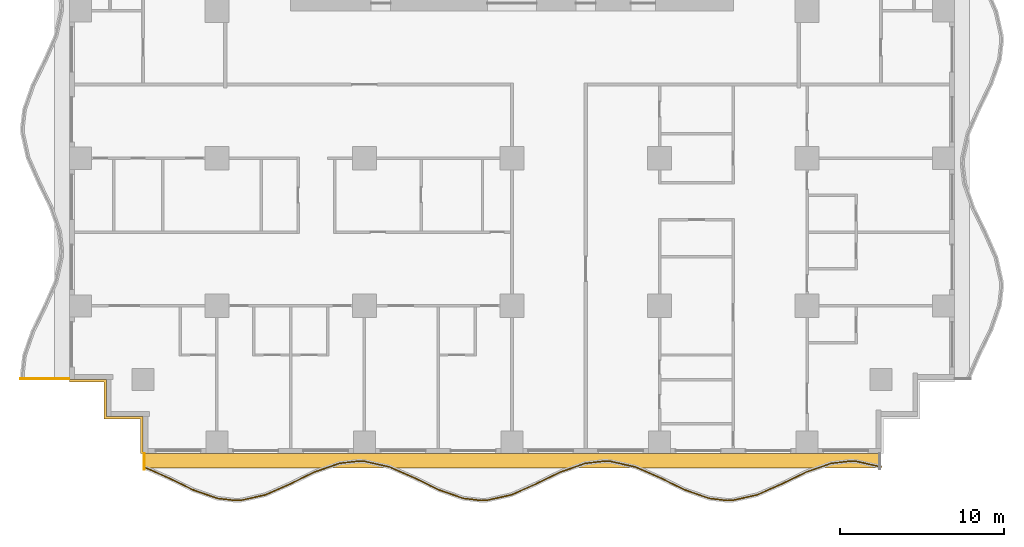
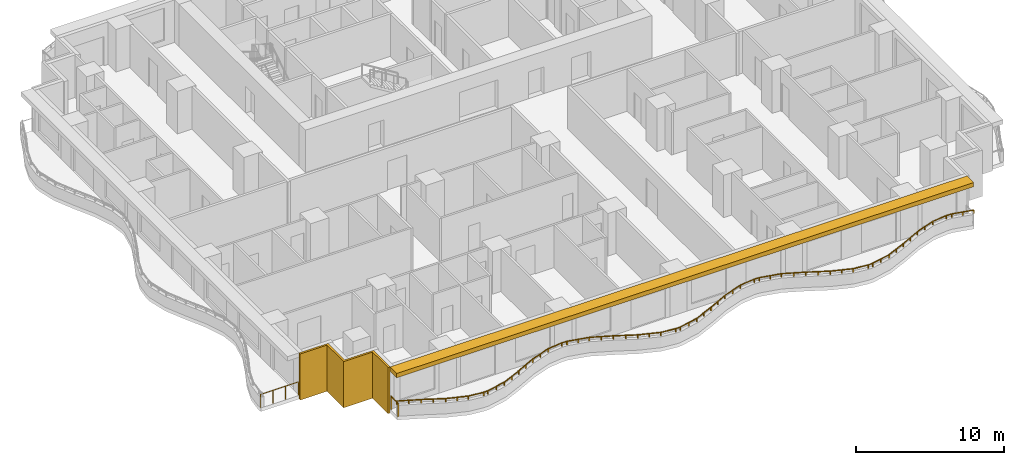
# One storey, part 8 of 14: 3 railings, 2 shading devices.
"""IFC4 building model written with IfcOpenShell, lengths in metres."""

from ifc_helpers import new_model, si_unit, direction, frame, origin, origin_2d, place, context, subcontext, project, spatial, polyline, rectangle, outline, extrude, material, layer, layer_set, type_object, element, save


model = new_model("IFC4")

# Units and contexts
model_context = context("Model", 3, precision=1e-05, world=origin(), true_north=direction((0.0, 1.0)))
body_context = subcontext(model_context, "Body", "Model", "MODEL_VIEW")
ifc_project = project(units=[si_unit("LENGTHUNIT", "METRE"), si_unit("AREAUNIT", "SQUARE_METRE"), si_unit("VOLUMEUNIT", "CUBIC_METRE"), si_unit("PLANEANGLEUNIT", "RADIAN"), si_unit("MASSUNIT", "GRAM", prefix="KILO")], contexts=[model_context])

# Site, building, storey
site_placement = place(None, origin())
site = spatial("IfcSite", under=ifc_project, at=site_placement, CompositionType="ELEMENT")
building_placement = place(site_placement, origin())
building = spatial("IfcBuilding", under=site, at=building_placement, Name="Orbiselva Terraces", CompositionType="ELEMENT")
storey_placement = place(building_placement, frame((0.0, 0.0, 73.2)))
storey = spatial("IfcBuildingStorey", under=building, at=storey_placement, Name="L18", CompositionType="ELEMENT", Elevation=73.2)

# Railings
ifc_material_1 = material(Name="Bonded two-ply safety glass balustrade, stainless steel posts", Category="steel")
railing_type_1 = type_object("IfcRailingType", Name="ENV-BALUSTRADE-1200", PredefinedType="BALUSTRADE", material=ifc_material_1)
railing_1_placement = place(storey_placement, frame((-22.449606, -23.33708, 0.9)))
element("IfcRailing", 1, at=railing_1_placement, inside=storey, type_object=railing_type_1, Name="Balcony balustrade L18 S", PredefinedType="BALUSTRADE", context=body_context, shape_type="SweptSolid", body=[
    extrude(outline(polyline([(0.028868, 0.0), (0.014434, 0.025), (-0.014434, 0.025), (-0.028868, 0.0), (-0.014434, -0.025), (0.014434, -0.025), (0.028868, 0.0)])), frame((0.0, 0.0, 0.275), z_axis=(0.915133394491, -0.403151175476, 0.0), x_axis=(0.403151175476, 0.915133394491, 0.0)), (0.0, 0.0, 1.0), 1.641563),
    extrude(outline(polyline([(0.028868, 0.0), (0.014434, 0.025), (-0.014434, 0.025), (-0.028868, 0.0), (-0.014434, -0.025), (0.014434, -0.025), (0.028868, 0.0)])), frame((1.502249, -0.661798, 0.275), z_axis=(0.89857890432, -0.438811978768, 0.0), x_axis=(0.438811978768, 0.89857890432, 0.0)), (0.0, 0.0, 1.0), 1.66438),
    extrude(outline(polyline([(0.028868, 0.0), (0.014434, 0.025), (-0.014434, 0.025), (-0.028868, 0.0), (-0.014434, -0.025), (0.014434, -0.025), (0.028868, 0.0)])), frame((2.997826, -1.392148, 0.275), z_axis=(0.943972277814, -0.330024754707, 0.0), x_axis=(0.330024754707, 0.943972277814, 0.0)), (0.0, 0.0, 1.0), 1.567807),
    extrude(outline(polyline([(0.028868, 0.0), (0.014434, 0.025), (-0.014434, 0.025), (-0.028868, 0.0), (-0.014434, -0.025), (0.014434, -0.025), (0.028868, 0.0)])), frame((4.477792, -1.909563, 0.275), z_axis=(0.993309658409, -0.115481264762, 0.0), x_axis=(0.115481264762, 0.993309658409, 0.0)), (0.0, 0.0, 1.0), 1.10902),
    extrude(outline(polyline([(0.028868, 0.0), (0.014434, 0.025), (-0.014434, 0.025), (-0.028868, 0.0), (-0.014434, -0.025), (0.014434, -0.025), (0.028868, 0.0)])), frame((5.579392, -2.037634, 0.275), z_axis=(0.999224931454, 0.039364150694, 0.0), x_axis=(-0.039364150694, 0.999224931454, 0.0)), (0.0, 0.0, 1.0), 0.354206),
    extrude(outline(polyline([(0.028868, 0.0), (0.014434, 0.025), (-0.014434, 0.025), (-0.028868, 0.0), (-0.014434, -0.025), (0.014434, -0.025), (0.028868, 0.0)])), frame((5.933323, -2.023691, 0.275), z_axis=(0.975721325753, 0.219015740235, 0.0), x_axis=(-0.219015740235, 0.975721325753, 0.0)), (0.0, 0.0, 1.0), 1.513782),
    extrude(outline(polyline([(0.028868, 0.0), (0.014434, 0.025), (-0.014434, 0.025), (-0.028868, 0.0), (-0.014434, -0.025), (0.014434, -0.025), (0.028868, 0.0)])), frame((7.410352, -1.692149, 0.275), z_axis=(0.915133363686, 0.403151245402, 0.0), x_axis=(-0.403151245402, 0.915133363686, 0.0)), (0.0, 0.0, 1.0), 1.624475),
    extrude(outline(polyline([(0.028868, 0.0), (0.014434, 0.025), (-0.014434, 0.025), (-0.028868, 0.0), (-0.014434, -0.025), (0.014434, -0.025), (0.028868, 0.0)])), frame((8.896963, -1.03724, 0.275), z_axis=(0.898578870221, 0.438812048596, 0.0), x_axis=(-0.438812048596, 0.898578870221, 0.0)), (0.0, 0.0, 1.0), 1.674225),
    extrude(outline(polyline([(0.028868, 0.0), (0.014434, 0.025), (-0.014434, 0.025), (-0.028868, 0.0), (-0.014434, -0.025), (0.014434, -0.025), (0.028868, 0.0)])), frame((10.401386, -0.30257, 0.275), z_axis=(0.943972332783, 0.330024597479, 0.0), x_axis=(-0.330024597479, 0.943972332783, 0.0)), (0.0, 0.0, 1.0), 1.610253),
    extrude(outline(polyline([(0.028868, 0.0), (0.014434, 0.025), (-0.014434, 0.025), (-0.028868, 0.0), (-0.014434, -0.025), (0.014434, -0.025), (0.028868, 0.0)])), frame((11.92142, 0.228853, 0.275), z_axis=(0.993309551734, 0.115482182324, 0.0), x_axis=(-0.115482182324, 0.993309551734, 0.0)), (0.0, 0.0, 1.0), 1.156135),
    extrude(outline(polyline([(0.028868, 0.0), (0.014434, 0.025), (-0.014434, 0.025), (-0.028868, 0.0), (-0.014434, -0.025), (0.014434, -0.025), (0.028868, 0.0)])), frame((13.06982, 0.362366, 0.275), z_axis=(0.999224734286, -0.03936915532, 0.0), x_axis=(0.03936915532, 0.999224734286, 0.0)), (0.0, 0.0, 1.0), 0.396376),
    extrude(outline(polyline([(0.028868, 0.0), (0.014434, 0.025), (-0.014434, 0.025), (-0.028868, 0.0), (-0.014434, -0.025), (0.014434, -0.025), (0.028868, 0.0)])), frame((13.465889, 0.346761, 0.275), z_axis=(0.97572137947, -0.219015500924, 0.0), x_axis=(0.219015500924, 0.97572137947, 0.0)), (0.0, 0.0, 1.0), 1.560867),
    extrude(outline(polyline([(0.028868, 0.0), (0.014434, 0.025), (-0.014434, 0.025), (-0.028868, 0.0), (-0.014434, -0.025), (0.014434, -0.025), (0.028868, 0.0)])), frame((14.98886, 0.004907, 0.275), z_axis=(0.915133527237, -0.403150874148, 0.0), x_axis=(0.403150874148, 0.915133527237, 0.0)), (0.0, 0.0, 1.0), 1.653736),
    extrude(outline(polyline([(0.028868, 0.0), (0.014434, 0.025), (-0.014434, 0.025), (-0.028868, 0.0), (-0.014434, -0.025), (0.014434, -0.025), (0.028868, 0.0)])), frame((16.502249, -0.661798, 0.275), z_axis=(0.89857890432, -0.438811978768, 0.0), x_axis=(0.438811978768, 0.89857890432, 0.0)), (0.0, 0.0, 1.0), 1.66438),
    extrude(outline(polyline([(0.028868, 0.0), (0.014434, 0.025), (-0.014434, 0.025), (-0.028868, 0.0), (-0.014434, -0.025), (0.014434, -0.025), (0.028868, 0.0)])), frame((17.997826, -1.392148, 0.275), z_axis=(0.943972277814, -0.330024754707, 0.0), x_axis=(0.330024754707, 0.943972277814, 0.0)), (0.0, 0.0, 1.0), 1.567807),
    extrude(outline(polyline([(0.028868, 0.0), (0.014434, 0.025), (-0.014434, 0.025), (-0.028868, 0.0), (-0.014434, -0.025), (0.014434, -0.025), (0.028868, 0.0)])), frame((19.477792, -1.909563, 0.275), z_axis=(0.993309658409, -0.115481264762, 0.0), x_axis=(0.115481264762, 0.993309658409, 0.0)), (0.0, 0.0, 1.0), 1.10902),
    extrude(outline(polyline([(0.028868, 0.0), (0.014434, 0.025), (-0.014434, 0.025), (-0.028868, 0.0), (-0.014434, -0.025), (0.014434, -0.025), (0.028868, 0.0)])), frame((20.579392, -2.037634, 0.275), z_axis=(0.999224931454, 0.039364150694, 0.0), x_axis=(-0.039364150694, 0.999224931454, 0.0)), (0.0, 0.0, 1.0), 0.354206),
    extrude(outline(polyline([(0.028868, 0.0), (0.014434, 0.025), (-0.014434, 0.025), (-0.028868, 0.0), (-0.014434, -0.025), (0.014434, -0.025), (0.028868, 0.0)])), frame((20.933323, -2.023691, 0.275), z_axis=(0.975721325753, 0.219015740235, 0.0), x_axis=(-0.219015740235, 0.975721325753, 0.0)), (0.0, 0.0, 1.0), 1.513782),
    extrude(outline(polyline([(0.028868, 0.0), (0.014434, 0.025), (-0.014434, 0.025), (-0.028868, 0.0), (-0.014434, -0.025), (0.014434, -0.025), (0.028868, 0.0)])), frame((22.410352, -1.692149, 0.275), z_axis=(0.915133363686, 0.403151245402, 0.0), x_axis=(-0.403151245402, 0.915133363686, 0.0)), (0.0, 0.0, 1.0), 1.624475),
    extrude(outline(polyline([(0.028868, 0.0), (0.014434, 0.025), (-0.014434, 0.025), (-0.028868, 0.0), (-0.014434, -0.025), (0.014434, -0.025), (0.028868, 0.0)])), frame((23.896963, -1.03724, 0.275), z_axis=(0.898578870221, 0.438812048596, 0.0), x_axis=(-0.438812048596, 0.898578870221, 0.0)), (0.0, 0.0, 1.0), 1.674225),
    extrude(outline(polyline([(0.028868, 0.0), (0.014434, 0.025), (-0.014434, 0.025), (-0.028868, 0.0), (-0.014434, -0.025), (0.014434, -0.025), (0.028868, 0.0)])), frame((25.401386, -0.30257, 0.275), z_axis=(0.943972332783, 0.330024597479, 0.0), x_axis=(-0.330024597479, 0.943972332783, 0.0)), (0.0, 0.0, 1.0), 1.610253),
    extrude(outline(polyline([(0.028868, 0.0), (0.014434, 0.025), (-0.014434, 0.025), (-0.028868, 0.0), (-0.014434, -0.025), (0.014434, -0.025), (0.028868, 0.0)])), frame((26.92142, 0.228853, 0.275), z_axis=(0.993309551734, 0.115482182324, 0.0), x_axis=(-0.115482182324, 0.993309551734, 0.0)), (0.0, 0.0, 1.0), 1.156135),
    extrude(outline(polyline([(0.028868, 0.0), (0.014434, 0.025), (-0.014434, 0.025), (-0.028868, 0.0), (-0.014434, -0.025), (0.014434, -0.025), (0.028868, 0.0)])), frame((28.06982, 0.362366, 0.275), z_axis=(0.999224734286, -0.03936915532, 0.0), x_axis=(0.03936915532, 0.999224734286, 0.0)), (0.0, 0.0, 1.0), 0.396376),
    extrude(outline(polyline([(0.028868, 0.0), (0.014434, 0.025), (-0.014434, 0.025), (-0.028868, 0.0), (-0.014434, -0.025), (0.014434, -0.025), (0.028868, 0.0)])), frame((28.465889, 0.346761, 0.275), z_axis=(0.97572137947, -0.219015500924, 0.0), x_axis=(0.219015500924, 0.97572137947, 0.0)), (0.0, 0.0, 1.0), 1.560867),
    extrude(outline(polyline([(0.028868, 0.0), (0.014434, 0.025), (-0.014434, 0.025), (-0.028868, 0.0), (-0.014434, -0.025), (0.014434, -0.025), (0.028868, 0.0)])), frame((29.98886, 0.004907, 0.275), z_axis=(0.915133527237, -0.403150874148, 0.0), x_axis=(0.403150874148, 0.915133527237, 0.0)), (0.0, 0.0, 1.0), 1.653736),
    extrude(outline(polyline([(0.028868, 0.0), (0.014434, 0.025), (-0.014434, 0.025), (-0.028868, 0.0), (-0.014434, -0.025), (0.014434, -0.025), (0.028868, 0.0)])), frame((31.502249, -0.661798, 0.275), z_axis=(0.89857890432, -0.438811978768, 0.0), x_axis=(0.438811978768, 0.89857890432, 0.0)), (0.0, 0.0, 1.0), 1.66438),
    extrude(outline(polyline([(0.028868, 0.0), (0.014434, 0.025), (-0.014434, 0.025), (-0.028868, 0.0), (-0.014434, -0.025), (0.014434, -0.025), (0.028868, 0.0)])), frame((32.997826, -1.392148, 0.275), z_axis=(0.943972277814, -0.330024754707, 0.0), x_axis=(0.330024754707, 0.943972277814, 0.0)), (0.0, 0.0, 1.0), 1.567807),
    extrude(outline(polyline([(0.028868, 0.0), (0.014434, 0.025), (-0.014434, 0.025), (-0.028868, 0.0), (-0.014434, -0.025), (0.014434, -0.025), (0.028868, 0.0)])), frame((34.477792, -1.909563, 0.275), z_axis=(0.993309658409, -0.115481264762, 0.0), x_axis=(0.115481264762, 0.993309658409, 0.0)), (0.0, 0.0, 1.0), 1.10902),
    extrude(outline(polyline([(0.028868, 0.0), (0.014434, 0.025), (-0.014434, 0.025), (-0.028868, 0.0), (-0.014434, -0.025), (0.014434, -0.025), (0.028868, 0.0)])), frame((35.579392, -2.037634, 0.275), z_axis=(0.999224931454, 0.039364150694, 0.0), x_axis=(-0.039364150694, 0.999224931454, 0.0)), (0.0, 0.0, 1.0), 0.354206),
    extrude(outline(polyline([(0.028868, 0.0), (0.014434, 0.025), (-0.014434, 0.025), (-0.028868, 0.0), (-0.014434, -0.025), (0.014434, -0.025), (0.028868, 0.0)])), frame((35.933323, -2.023691, 0.275), z_axis=(0.975721325753, 0.219015740235, 0.0), x_axis=(-0.219015740235, 0.975721325753, 0.0)), (0.0, 0.0, 1.0), 1.513782),
    extrude(outline(polyline([(0.028868, 0.0), (0.014434, 0.025), (-0.014434, 0.025), (-0.028868, 0.0), (-0.014434, -0.025), (0.014434, -0.025), (0.028868, 0.0)])), frame((37.410352, -1.692149, 0.275), z_axis=(0.915133363686, 0.403151245402, 0.0), x_axis=(-0.403151245402, 0.915133363686, 0.0)), (0.0, 0.0, 1.0), 1.624475),
    extrude(outline(polyline([(0.028868, 0.0), (0.014434, 0.025), (-0.014434, 0.025), (-0.028868, 0.0), (-0.014434, -0.025), (0.014434, -0.025), (0.028868, 0.0)])), frame((38.896963, -1.03724, 0.275), z_axis=(0.898578870221, 0.438812048596, 0.0), x_axis=(-0.438812048596, 0.898578870221, 0.0)), (0.0, 0.0, 1.0), 1.674225),
    extrude(outline(polyline([(0.028868, 0.0), (0.014434, 0.025), (-0.014434, 0.025), (-0.028868, 0.0), (-0.014434, -0.025), (0.014434, -0.025), (0.028868, 0.0)])), frame((40.401386, -0.30257, 0.275), z_axis=(0.943972332783, 0.330024597479, 0.0), x_axis=(-0.330024597479, 0.943972332783, 0.0)), (0.0, 0.0, 1.0), 1.610253),
    extrude(outline(polyline([(0.028868, 0.0), (0.014434, 0.025), (-0.014434, 0.025), (-0.028868, 0.0), (-0.014434, -0.025), (0.014434, -0.025), (0.028868, 0.0)])), frame((41.92142, 0.228853, 0.275), z_axis=(0.993309551734, 0.115482182324, 0.0), x_axis=(-0.115482182324, 0.993309551734, 0.0)), (0.0, 0.0, 1.0), 1.156135),
    extrude(outline(polyline([(0.028868, 0.0), (0.014434, 0.025), (-0.014434, 0.025), (-0.028868, 0.0), (-0.014434, -0.025), (0.014434, -0.025), (0.028868, 0.0)])), frame((43.06982, 0.362366, 0.275), z_axis=(0.999224734286, -0.03936915532, 0.0), x_axis=(0.03936915532, 0.999224734286, 0.0)), (0.0, 0.0, 1.0), 0.396376),
    extrude(outline(polyline([(0.028868, 0.0), (0.014434, 0.025), (-0.014434, 0.025), (-0.028868, 0.0), (-0.014434, -0.025), (0.014434, -0.025), (0.028868, 0.0)])), frame((43.465889, 0.346761, 0.275), z_axis=(0.97572138316, -0.219015484484, 0.0), x_axis=(0.219015484484, 0.97572138316, 0.0)), (0.0, 0.0, 1.0), 1.548694),
    extrude(rectangle(XDim=0.05, YDim=0.05, at=origin_2d()), origin(), (0.0, 0.0, 1.0), 0.25),
    extrude(rectangle(XDim=0.05, YDim=0.05, at=origin_2d()), frame((0.751124, -0.330899, 0.0)), (0.0, 0.0, 1.0), 0.25),
    extrude(rectangle(XDim=0.05, YDim=0.05, at=origin_2d()), frame((1.502249, -0.661798, 0.0)), (0.0, 0.0, 1.0), 0.25),
    extrude(rectangle(XDim=0.05, YDim=0.05, at=origin_2d()), frame((2.250037, -1.026973, 0.0)), (0.0, 0.0, 1.0), 0.25),
    extrude(rectangle(XDim=0.05, YDim=0.05, at=origin_2d()), frame((2.997826, -1.392148, 0.0)), (0.0, 0.0, 1.0), 0.25),
    extrude(rectangle(XDim=0.05, YDim=0.05, at=origin_2d()), frame((3.737809, -1.650855, 0.0)), (0.0, 0.0, 1.0), 0.25),
    extrude(rectangle(XDim=0.05, YDim=0.05, at=origin_2d()), frame((4.477792, -1.909563, 0.0)), (0.0, 0.0, 1.0), 0.25),
    extrude(rectangle(XDim=0.05, YDim=0.05, at=origin_2d()), frame((5.579392, -2.037634, 0.0)), (0.0, 0.0, 1.0), 0.25),
    extrude(rectangle(XDim=0.05, YDim=0.05, at=origin_2d()), frame((5.933323, -2.023691, 0.0)), (0.0, 0.0, 1.0), 0.25),
    extrude(rectangle(XDim=0.05, YDim=0.05, at=origin_2d()), frame((6.671837, -1.85792, 0.0)), (0.0, 0.0, 1.0), 0.25),
    extrude(rectangle(XDim=0.05, YDim=0.05, at=origin_2d()), frame((7.410352, -1.692149, 0.0)), (0.0, 0.0, 1.0), 0.25),
    extrude(rectangle(XDim=0.05, YDim=0.05, at=origin_2d()), frame((8.153658, -1.364695, 0.0)), (0.0, 0.0, 1.0), 0.25),
    extrude(rectangle(XDim=0.05, YDim=0.05, at=origin_2d()), frame((8.896963, -1.03724, 0.0)), (0.0, 0.0, 1.0), 0.25),
    extrude(rectangle(XDim=0.05, YDim=0.05, at=origin_2d()), frame((9.649174, -0.669905, 0.0)), (0.0, 0.0, 1.0), 0.25),
    extrude(rectangle(XDim=0.05, YDim=0.05, at=origin_2d()), frame((10.401386, -0.30257, 0.0)), (0.0, 0.0, 1.0), 0.25),
    extrude(rectangle(XDim=0.05, YDim=0.05, at=origin_2d()), frame((11.161403, -0.036858, 0.0)), (0.0, 0.0, 1.0), 0.25),
    extrude(rectangle(XDim=0.05, YDim=0.05, at=origin_2d()), frame((11.92142, 0.228853, 0.0)), (0.0, 0.0, 1.0), 0.25),
    extrude(rectangle(XDim=0.05, YDim=0.05, at=origin_2d()), frame((13.06982, 0.362366, 0.0)), (0.0, 0.0, 1.0), 0.25),
    extrude(rectangle(XDim=0.05, YDim=0.05, at=origin_2d()), frame((13.465889, 0.346761, 0.0)), (0.0, 0.0, 1.0), 0.25),
    extrude(rectangle(XDim=0.05, YDim=0.05, at=origin_2d()), frame((14.227374, 0.175834, 0.0)), (0.0, 0.0, 1.0), 0.25),
    extrude(rectangle(XDim=0.05, YDim=0.05, at=origin_2d()), frame((14.98886, 0.004907, 0.0)), (0.0, 0.0, 1.0), 0.25),
    extrude(rectangle(XDim=0.05, YDim=0.05, at=origin_2d()), frame((15.745554, -0.328446, 0.0)), (0.0, 0.0, 1.0), 0.25),
    extrude(rectangle(XDim=0.05, YDim=0.05, at=origin_2d()), frame((16.502249, -0.661798, 0.0)), (0.0, 0.0, 1.0), 0.25),
    extrude(rectangle(XDim=0.05, YDim=0.05, at=origin_2d()), frame((17.250037, -1.026973, 0.0)), (0.0, 0.0, 1.0), 0.25),
    extrude(rectangle(XDim=0.05, YDim=0.05, at=origin_2d()), frame((17.997826, -1.392148, 0.0)), (0.0, 0.0, 1.0), 0.25),
    extrude(rectangle(XDim=0.05, YDim=0.05, at=origin_2d()), frame((18.737809, -1.650855, 0.0)), (0.0, 0.0, 1.0), 0.25),
    extrude(rectangle(XDim=0.05, YDim=0.05, at=origin_2d()), frame((19.477792, -1.909563, 0.0)), (0.0, 0.0, 1.0), 0.25),
    extrude(rectangle(XDim=0.05, YDim=0.05, at=origin_2d()), frame((20.579392, -2.037634, 0.0)), (0.0, 0.0, 1.0), 0.25),
    extrude(rectangle(XDim=0.05, YDim=0.05, at=origin_2d()), frame((20.933323, -2.023691, 0.0)), (0.0, 0.0, 1.0), 0.25),
    extrude(rectangle(XDim=0.05, YDim=0.05, at=origin_2d()), frame((21.671838, -1.85792, 0.0)), (0.0, 0.0, 1.0), 0.25),
    extrude(rectangle(XDim=0.05, YDim=0.05, at=origin_2d()), frame((22.410352, -1.692149, 0.0)), (0.0, 0.0, 1.0), 0.25),
    extrude(rectangle(XDim=0.05, YDim=0.05, at=origin_2d()), frame((23.153658, -1.364695, 0.0)), (0.0, 0.0, 1.0), 0.25),
    extrude(rectangle(XDim=0.05, YDim=0.05, at=origin_2d()), frame((23.896963, -1.03724, 0.0)), (0.0, 0.0, 1.0), 0.25),
    extrude(rectangle(XDim=0.05, YDim=0.05, at=origin_2d()), frame((24.649174, -0.669905, 0.0)), (0.0, 0.0, 1.0), 0.25),
    extrude(rectangle(XDim=0.05, YDim=0.05, at=origin_2d()), frame((25.401386, -0.30257, 0.0)), (0.0, 0.0, 1.0), 0.25),
    extrude(rectangle(XDim=0.05, YDim=0.05, at=origin_2d()), frame((26.161403, -0.036858, 0.0)), (0.0, 0.0, 1.0), 0.25),
    extrude(rectangle(XDim=0.05, YDim=0.05, at=origin_2d()), frame((26.92142, 0.228853, 0.0)), (0.0, 0.0, 1.0), 0.25),
    extrude(rectangle(XDim=0.05, YDim=0.05, at=origin_2d()), frame((28.06982, 0.362366, 0.0)), (0.0, 0.0, 1.0), 0.25),
    extrude(rectangle(XDim=0.05, YDim=0.05, at=origin_2d()), frame((28.465889, 0.346761, 0.0)), (0.0, 0.0, 1.0), 0.25),
    extrude(rectangle(XDim=0.05, YDim=0.05, at=origin_2d()), frame((29.227374, 0.175834, 0.0)), (0.0, 0.0, 1.0), 0.25),
    extrude(rectangle(XDim=0.05, YDim=0.05, at=origin_2d()), frame((29.98886, 0.004907, 0.0)), (0.0, 0.0, 1.0), 0.25),
    extrude(rectangle(XDim=0.05, YDim=0.05, at=origin_2d()), frame((30.745554, -0.328446, 0.0)), (0.0, 0.0, 1.0), 0.25),
    extrude(rectangle(XDim=0.05, YDim=0.05, at=origin_2d()), frame((31.502249, -0.661798, 0.0)), (0.0, 0.0, 1.0), 0.25),
    extrude(rectangle(XDim=0.05, YDim=0.05, at=origin_2d()), frame((32.250038, -1.026973, 0.0)), (0.0, 0.0, 1.0), 0.25),
    extrude(rectangle(XDim=0.05, YDim=0.05, at=origin_2d()), frame((32.997826, -1.392148, 0.0)), (0.0, 0.0, 1.0), 0.25),
    extrude(rectangle(XDim=0.05, YDim=0.05, at=origin_2d()), frame((33.737809, -1.650855, 0.0)), (0.0, 0.0, 1.0), 0.25),
    extrude(rectangle(XDim=0.05, YDim=0.05, at=origin_2d()), frame((34.477792, -1.909563, 0.0)), (0.0, 0.0, 1.0), 0.25),
    extrude(rectangle(XDim=0.05, YDim=0.05, at=origin_2d()), frame((35.579392, -2.037634, 0.0)), (0.0, 0.0, 1.0), 0.25),
    extrude(rectangle(XDim=0.05, YDim=0.05, at=origin_2d()), frame((35.933323, -2.023691, 0.0)), (0.0, 0.0, 1.0), 0.25),
    extrude(rectangle(XDim=0.05, YDim=0.05, at=origin_2d()), frame((36.671838, -1.85792, 0.0)), (0.0, 0.0, 1.0), 0.25),
    extrude(rectangle(XDim=0.05, YDim=0.05, at=origin_2d()), frame((37.410352, -1.692149, 0.0)), (0.0, 0.0, 1.0), 0.25),
    extrude(rectangle(XDim=0.05, YDim=0.05, at=origin_2d()), frame((38.153658, -1.364695, 0.0)), (0.0, 0.0, 1.0), 0.25),
    extrude(rectangle(XDim=0.05, YDim=0.05, at=origin_2d()), frame((38.896963, -1.03724, 0.0)), (0.0, 0.0, 1.0), 0.25),
    extrude(rectangle(XDim=0.05, YDim=0.05, at=origin_2d()), frame((39.649174, -0.669905, 0.0)), (0.0, 0.0, 1.0), 0.25),
    extrude(rectangle(XDim=0.05, YDim=0.05, at=origin_2d()), frame((40.401386, -0.30257, 0.0)), (0.0, 0.0, 1.0), 0.25),
    extrude(rectangle(XDim=0.05, YDim=0.05, at=origin_2d()), frame((41.161403, -0.036858, 0.0)), (0.0, 0.0, 1.0), 0.25),
    extrude(rectangle(XDim=0.05, YDim=0.05, at=origin_2d()), frame((41.92142, 0.228853, 0.0)), (0.0, 0.0, 1.0), 0.25),
    extrude(rectangle(XDim=0.05, YDim=0.05, at=origin_2d()), frame((43.06982, 0.362366, 0.0)), (0.0, 0.0, 1.0), 0.25),
    extrude(rectangle(XDim=0.05, YDim=0.05, at=origin_2d()), frame((43.465889, 0.346761, 0.0)), (0.0, 0.0, 1.0), 0.25),
    extrude(rectangle(XDim=0.05, YDim=0.05, at=origin_2d()), frame((44.221436, 0.177167, 0.0)), (0.0, 0.0, 1.0), 0.25),
    extrude(rectangle(XDim=0.05, YDim=0.05, at=origin_2d()), frame((44.976983, 0.007573, 0.0)), (0.0, 0.0, 1.0), 0.25),
])
ifc_material_2 = material(Name="Stainless steel rail and posts", Category="steel")
railing_type_2 = type_object("IfcRailingType", Name="ENV-GUARD-1105", PredefinedType="BALUSTRADE", material=ifc_material_2)
railing_2_placement = place(storey_placement, frame((-22.44, -23.473063, 0.0)))
element("IfcRailing", 2, at=railing_2_placement, inside=storey, type_object=railing_type_2, Name="Balcony end guard L18 S", PredefinedType="BALUSTRADE", context=body_context, shape_type="SweptSolid", body=[
    extrude(outline(polyline([(0.028868, 0.0), (0.014434, 0.025), (-0.014434, 0.025), (-0.028868, 0.0), (-0.014434, -0.025), (0.014434, -0.025), (0.028868, 0.0)])), frame((0.0, 0.0, 1.08), z_axis=(0.0, 1.0, 0.0), x_axis=(-1.0, 0.0, 0.0)), (0.0, 0.0, 1.0), 0.948063),
    extrude(rectangle(XDim=0.05, YDim=0.05, at=origin_2d()), origin(), (0.0, 0.0, 1.0), 1.055),
    extrude(rectangle(XDim=0.05, YDim=0.05, at=origin_2d()), frame((0.0, 0.948063, 0.0)), (0.0, 0.0, 1.0), 1.055),
])
railing_3_placement = place(storey_placement, frame((-29.989569, -17.94, 0.0)))
element("IfcRailing", 3, at=railing_3_placement, inside=storey, type_object=railing_type_2, Name="Balcony end guard L18 W", PredefinedType="BALUSTRADE", context=body_context, shape_type="SweptSolid", body=[
    extrude(outline(polyline([(0.028868, 0.0), (0.014434, 0.025), (-0.014434, 0.025), (-0.028868, 0.0), (-0.014434, -0.025), (0.014434, -0.025), (0.028868, 0.0)])), frame((0.0, 0.0, 1.08), z_axis=(1.0, 0.0, 0.0), x_axis=(0.0, 1.0, 0.0)), (0.0, 0.0, 1.0), 2.964569),
    extrude(rectangle(XDim=0.05, YDim=0.05, at=origin_2d()), origin(), (0.0, 0.0, 1.0), 1.055),
    extrude(rectangle(XDim=0.05, YDim=0.05, at=origin_2d()), frame((0.98819, 0.0, 0.0)), (0.0, 0.0, 1.0), 1.055),
    extrude(rectangle(XDim=0.05, YDim=0.05, at=origin_2d()), frame((1.976379, 0.0, 0.0)), (0.0, 0.0, 1.0), 1.055),
    extrude(rectangle(XDim=0.05, YDim=0.05, at=origin_2d()), frame((2.964569, 0.0, 0.0)), (0.0, 0.0, 1.0), 1.055),
])

# Shading devices
ifc_material_3 = material(Name="Terracotta louvre screen", Category="masonry")
ifc_layer_1 = layer(ifc_material_3, 0.15)
ifc_layer_set_1 = layer_set([ifc_layer_1], Name="Terracotta louvre screen")
shading_device_type_1 = type_object("IfcShadingDeviceType", Name="ENV-SCREEN-150", PredefinedType="USERDEFINED", material=ifc_layer_set_1)
shading_device_1_placement = place(storey_placement, frame((0.0, 0.0, -0.3)))
element("IfcShadingDevice", 4, at=shading_device_1_placement, inside=storey, type_object=shading_device_type_1, Name="Louvre screen L18 SW", ObjectType="SCREEN", PredefinedType="USERDEFINED", context=body_context, shape_type="SweptSolid", body=[
    extrude(outline(polyline([(-27.0, -18.15), (-24.9, -18.15), (-24.9, -20.4), (-22.65, -20.4), (-22.65, -22.5), (-22.5, -22.5), (-22.5, -20.25), (-24.75, -20.25), (-24.75, -18.0), (-27.0, -18.0), (-27.0, -18.15)])), origin(), (0.0, 0.0, 1.0), 3.8),
])
ifc_material_4 = material(Name="Terracotta baguette sunshade", Category="masonry")
ifc_layer_2 = layer(ifc_material_4, 0.35)
ifc_layer_set_2 = layer_set([ifc_layer_2], Name="Terracotta baguette sunshade")
shading_device_type_2 = type_object("IfcShadingDeviceType", Name="ENV-SUNSHADE-900x350", PredefinedType="USERDEFINED", material=ifc_layer_set_2)
shading_device_2_placement = place(storey_placement, frame((0.0, 0.0, 3.15)))
element("IfcShadingDevice", 5, at=shading_device_2_placement, inside=storey, type_object=shading_device_type_2, Name="Sunshade band L18 S", ObjectType="SUNSHADE", PredefinedType="USERDEFINED", context=body_context, shape_type="SweptSolid", body=[
    extrude(outline(polyline([(-22.5, -23.4), (22.5, -23.4), (22.5, -22.5), (-22.5, -22.5), (-22.5, -23.4)])), origin(), (0.0, 0.0, 1.0), 0.35),
])

save(model, "model.ifc")
